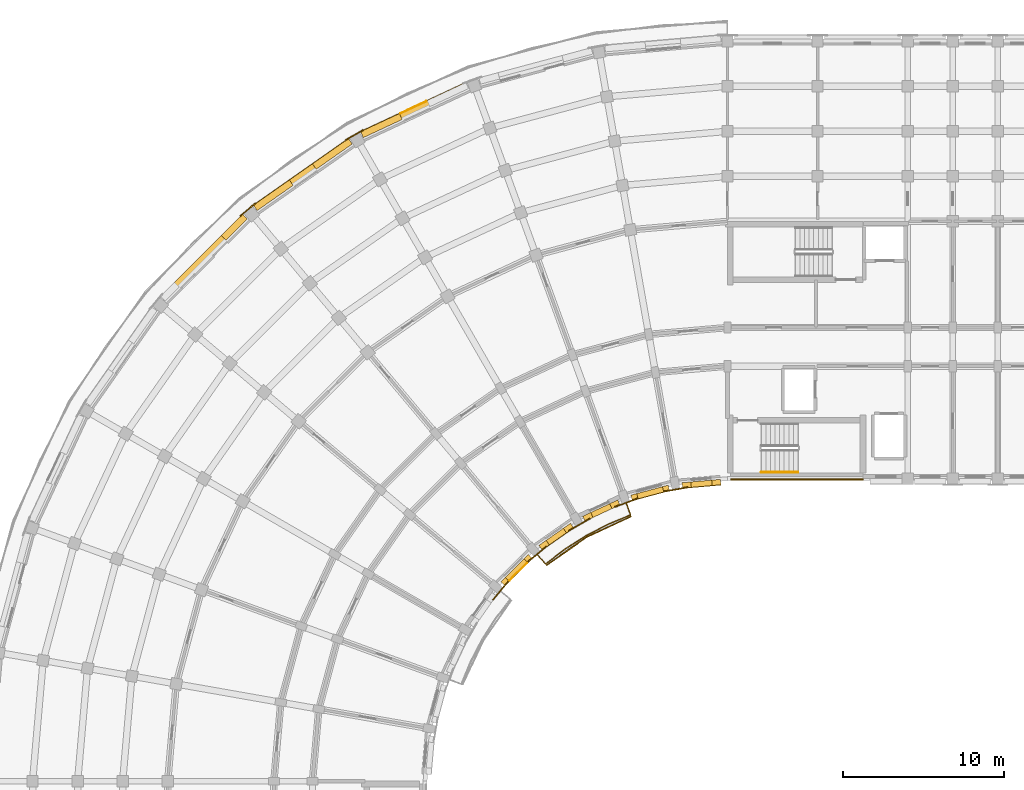
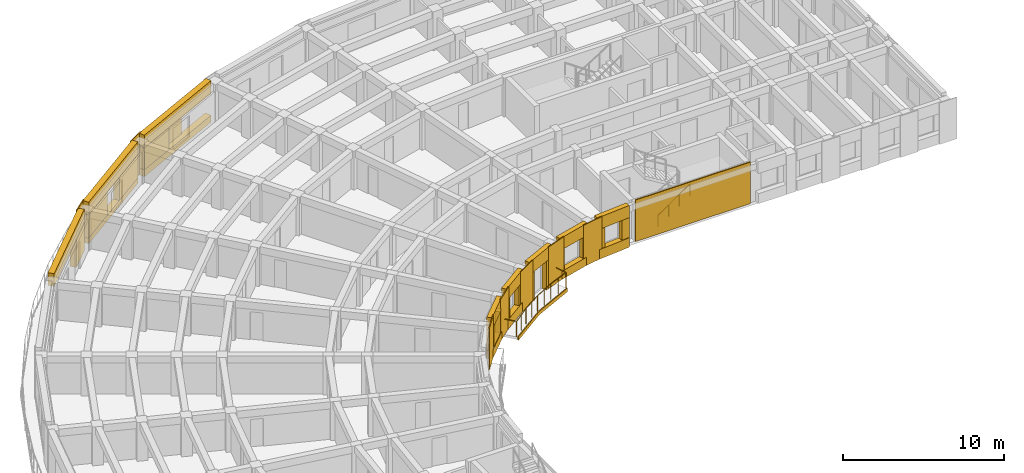
# One storey, part 48 of 57: 37 coverings, 2 railings, 2 shading devices.
"""IFC4 building model written with IfcOpenShell, lengths in metres."""

import ifcopenshell
import ifcopenshell.guid

model = None  # the IFC model being written
_history = None  # IfcOwnerHistory: only IFC2X3 demands one
_inside = {}  # id of a spatial element -> (the spatial element, [elements in it])
_under = {}  # id of a project, library or spatial element -> (it, [spatial elements below it])
_declared = {}  # id of a project -> (the project, [libraries it declares])
_typed = {}  # id of a type object -> (the type object, [elements of that type])
_made_of = {}  # id of a material, layer set ... -> (it, [elements and type objects made of it])


def new_model(schema):
    """Start an empty IFC model of exactly this schema.

    Asked for "IFC4X3", IfcOpenShell would pick the latest addendum, in which some entities
    have other attributes; the version numbers below select the first issue.
    IFC2X3 requires an IfcOwnerHistory on every rooted entity: one is made here for all.
    """
    global model, _history
    if schema == "IFC4X3":
        model = ifcopenshell.file(schema_version=(4, 3, 0, 0))
    else:
        model = ifcopenshell.file(schema=schema)
    _inside.clear()
    _under.clear()
    _declared.clear()
    _typed.clear()
    _made_of.clear()
    _history = None
    if model.schema == "IFC2X3":
        org = make("IfcOrganization", Name="unknown")
        user = make(
            "IfcPersonAndOrganization",
            ThePerson=make("IfcPerson", FamilyName="unknown"),
            TheOrganization=org,
        )
        app = make(
            "IfcApplication",
            ApplicationDeveloper=org,
            Version="unknown",
            ApplicationFullName="unknown",
            ApplicationIdentifier="unknown",
        )
        _history = make(
            "IfcOwnerHistory",
            OwningUser=user,
            OwningApplication=app,
            ChangeAction="ADDED",
            CreationDate=0,
        )
    return model


def make(cls, **values):
    """One entity of the class cls with the attributes given. An attribute that is None is left unset."""
    return model.create_entity(
        cls, **{name: value for name, value in values.items() if value is not None}
    )


def rooted(cls, **values):
    """An entity with a GlobalId (a new one), such as an element, a storey or a relation."""
    return make(cls, GlobalId=ifcopenshell.guid.new(), OwnerHistory=_history, **values)


def si_unit(unit_type, name, prefix=None):
    """IfcSIUnit, for example si_unit("LENGTHUNIT", "METRE", prefix="MILLI")."""
    return make("IfcSIUnit", UnitType=unit_type, Prefix=prefix, Name=name)


def assignment(units):
    """IfcUnitAssignment: the units of a project."""
    return None if units is None else make("IfcUnitAssignment", Units=units)


def point(xyz):
    """IfcCartesianPoint."""
    return None if xyz is None else make("IfcCartesianPoint", Coordinates=xyz)


def direction(xyz):
    """IfcDirection."""
    return None if xyz is None else make("IfcDirection", DirectionRatios=xyz)


def frame(location, z_axis=None, x_axis=None):
    """IfcAxis2Placement3D, a coordinate frame: its origin and axes. An axis left out is left unset."""
    return make(
        "IfcAxis2Placement3D",
        Location=point(location),
        Axis=direction(z_axis),
        RefDirection=direction(x_axis),
    )


def frame_2d(location, x_axis=None):
    """IfcAxis2Placement2D, a coordinate frame in the plane: its origin and x axis."""
    return make(
        "IfcAxis2Placement2D", Location=point(location), RefDirection=direction(x_axis)
    )


def origin():
    """The frame at (0, 0, 0) with its axes left unset."""
    return frame((0.0, 0.0, 0.0))


def origin_2d():
    """The frame at (0, 0) in the plane with its x axis left unset."""
    return frame_2d((0.0, 0.0))


def place(relative_to, where):
    """IfcLocalPlacement: puts the frame where relative to a parent placement (None: the world)."""
    return make(
        "IfcLocalPlacement", PlacementRelTo=relative_to, RelativePlacement=where
    )


def context(
    kind, dimensions, precision=None, world=None, true_north=None, identifier=None
):
    """IfcGeometricRepresentationContext, for example the 3D "Model" context."""
    return make(
        "IfcGeometricRepresentationContext",
        ContextIdentifier=identifier,
        ContextType=kind,
        CoordinateSpaceDimension=dimensions,
        Precision=precision,
        WorldCoordinateSystem=world,
        TrueNorth=true_north,
    )


def subcontext(parent, identifier, kind, view, scale=None):
    """IfcGeometricRepresentationSubContext, for example "Body" below "Model"."""
    return make(
        "IfcGeometricRepresentationSubContext",
        ContextIdentifier=identifier,
        ContextType=kind,
        ParentContext=parent,
        TargetScale=scale,
        TargetView=view,
    )


def project(units=None, contexts=None):
    """IfcProject with its units and contexts."""
    return rooted(
        "IfcProject",
        Name="project",
        RepresentationContexts=contexts,
        UnitsInContext=assignment(units),
    )


def spatial(cls, under=None, at=None, **own):
    """A site, building, storey or space (cls), placed at a placement, below another one or the project."""
    s = rooted(cls, ObjectPlacement=at, **own)
    if under is not None:
        _under.setdefault(under.id(), (under, []))[1].append(s)
    return s


def polyline(points):
    """IfcPolyline through the points."""
    return make("IfcPolyline", Points=[point(p) for p in points])


def profile(cls, at=None, kind="AREA", **sizes):
    """A parametric profile (cls). Its sizes go by their IFC names, for example OverallWidth=200.0."""
    return make(cls, ProfileType=kind, Position=at, **sizes)


def rectangle(**sizes):
    """IfcRectangleProfileDef."""
    return profile("IfcRectangleProfileDef", **sizes)


def circle(**sizes):
    """IfcCircleProfileDef."""
    return profile("IfcCircleProfileDef", **sizes)


def outline(outer, holes=None, kind="AREA"):
    """IfcArbitraryClosedProfileDef: a profile drawn as a closed curve; with holes, ...WithVoids."""
    if holes is None:
        return make("IfcArbitraryClosedProfileDef", ProfileType=kind, OuterCurve=outer)
    return make(
        "IfcArbitraryProfileDefWithVoids",
        ProfileType=kind,
        OuterCurve=outer,
        InnerCurves=holes,
    )


def extrude(swept, where, along, depth):
    """IfcExtrudedAreaSolid: the profile swept, set in the frame where, extruded along a direction by depth."""
    return make(
        "IfcExtrudedAreaSolid",
        SweptArea=swept,
        Position=where,
        ExtrudedDirection=direction(along),
        Depth=depth,
    )


def shape(context_of_items, identifier, shape_type, items):
    """IfcShapeRepresentation: the items that make up one representation, for example the "Body"."""
    return make(
        "IfcShapeRepresentation",
        ContextOfItems=context_of_items,
        RepresentationIdentifier=identifier,
        RepresentationType=shape_type,
        Items=items,
    )


def material(Name=None, Category=None):
    """IfcMaterial."""
    return make("IfcMaterial", Name=Name, Category=Category)


def layer(
    of_material, thickness, ventilated=None, Name=None, Category=None, Priority=None
):
    """IfcMaterialLayer: one layer of a wall or slab, of a material (None: an air gap)."""
    return make(
        "IfcMaterialLayer",
        Material=of_material,
        LayerThickness=thickness,
        IsVentilated=ventilated,
        Name=Name,
        Category=Category,
        Priority=Priority,
    )


def layer_set(layers, Name=None):
    """IfcMaterialLayerSet."""
    return make("IfcMaterialLayerSet", MaterialLayers=layers, LayerSetName=Name)


def made_of(thing, what):
    """Note that an element or type object is made of a material, layer set ...; save() writes the relation."""
    if what is not None:
        _made_of.setdefault(what.id(), (what, []))[1].append(thing)
    return thing


def type_object(cls, material=None, **own):
    """A type object (cls), such as IfcWallType, which elements share."""
    return made_of(rooted(cls, **own), material)


def element(
    cls,
    number,
    at=None,
    inside=None,
    cuts=None,
    type_object=None,
    material=None,
    context=None,
    identifier="Body",
    shape_type=None,
    held_by="IfcProductDefinitionShape",
    body=None,
    shapes=None,
    **own,
):
    """One element of the class cls, such as IfcWall. Its Tag is "e" and its number.

    at: its placement. inside: the storey or other place that contains it. cuts: it is an
    opening in that element (IfcRelVoidsElement). A single representation is given by context,
    identifier, shape_type and body (its items); several are given by shapes. held_by: the class
    of the entity that holds the representations. save() writes the other relations.
    """
    e = rooted(cls, Tag="e%d" % number, ObjectPlacement=at, **own)
    if body is not None:
        shapes = [shape(context, identifier, shape_type, body)]
    if shapes is not None:
        e.Representation = make(held_by, Representations=shapes)
    if inside is not None:
        _inside.setdefault(inside.id(), (inside, []))[1].append(e)
    if cuts is not None:
        rooted(
            "IfcRelVoidsElement", RelatingBuildingElement=cuts, RelatedOpeningElement=e
        )
    if type_object is not None:
        _typed.setdefault(type_object.id(), (type_object, []))[1].append(e)
    return made_of(e, material)


def aggregate(whole, parts):
    """IfcRelAggregates: a whole, such as a stair, and the parts it consists of."""
    return rooted("IfcRelAggregates", RelatingObject=whole, RelatedObjects=parts)


def save(model, path):
    """Write the relations noted so far, then the file.

    IfcRelAggregates (storeys below a building ...), IfcRelContainedInSpatialStructure (elements
    in a storey), IfcRelDefinesByType, IfcRelAssociatesMaterial and IfcRelDeclares: one each for
    every whole, place, type object, material and project.
    """
    for whole, parts in _under.values():
        aggregate(whole, parts)
    for where, things in _inside.values():
        rooted(
            "IfcRelContainedInSpatialStructure",
            RelatedElements=things,
            RelatingStructure=where,
        )
    for kind, things in _typed.values():
        rooted("IfcRelDefinesByType", RelatedObjects=things, RelatingType=kind)
    for what, things in _made_of.values():
        rooted("IfcRelAssociatesMaterial", RelatedObjects=things, RelatingMaterial=what)
    for by, libraries in _declared.values():
        rooted("IfcRelDeclares", RelatingContext=by, RelatedDefinitions=libraries)
    model.write(path)


model = new_model("IFC4")

# Units and contexts
model_context = context("Model", 3, precision=1e-05, world=origin(), true_north=direction((0.0, 1.0)))
body_context = subcontext(model_context, "Body", "Model", "MODEL_VIEW")
ifc_project = project(units=[si_unit("LENGTHUNIT", "METRE"), si_unit("AREAUNIT", "SQUARE_METRE"), si_unit("VOLUMEUNIT", "CUBIC_METRE"), si_unit("PLANEANGLEUNIT", "RADIAN"), si_unit("MASSUNIT", "GRAM", prefix="KILO")], contexts=[model_context])

# Site, building, storey
site_placement = place(None, origin())
site = spatial("IfcSite", under=ifc_project, at=site_placement, CompositionType="ELEMENT")
building_placement = place(site_placement, origin())
building = spatial("IfcBuilding", under=site, at=building_placement, Name="Kiranvali Square Residences", CompositionType="ELEMENT")
storey_placement = place(building_placement, frame((0.0, 0.0, 18.14990234375)))
storey = spatial("IfcBuildingStorey", under=building, at=storey_placement, Name="L05", CompositionType="ELEMENT", Elevation=18.14990234375)

# Coverings
ifc_material_1 = material(Name="Carved Porbandar limestone classical entablature and cornice", Category="masonry")
ifc_layer_1 = layer(ifc_material_1, 0.06201171875)
ifc_layer_set_1 = layer_set([ifc_layer_1], Name="Carved Porbandar limestone classical entablature and cornice")
covering_type_1 = type_object("IfcCoveringType", Name="COV-CLAD-GBAL", PredefinedType="CLADDING", material=ifc_layer_set_1)
covering_1_placement = place(storey_placement, frame((0.0, 0.0, -0.219970703125)))
element("IfcCovering", 1, at=covering_1_placement, inside=storey, type_object=covering_type_1, Name="Block A L05 garden balcony limestone fascia 1", PredefinedType="CLADDING", context=body_context, shape_type="SweptSolid", body=[
    extrude(outline(polyline([(42.1982421875, 104.289794921875), (39.426025390625, 102.9970703125), (36.92041015625, 101.242431640625), (36.964111328125, 101.1904296875), (39.4599609375, 102.938232421875), (42.221435546875, 104.225830078125), (42.1982421875, 104.289794921875)])), origin(), (0.0, 0.0, 1.0), 0.27001953125),
])
ifc_material_2 = material(Name="Honed Porbandar limestone ashlar facade cladding", Category="masonry")
ifc_layer_2 = layer(ifc_material_2, 0.3798828125)
ifc_layer_set_2 = layer_set([ifc_layer_2], Name="Honed Porbandar limestone ashlar facade cladding")
covering_type_2 = type_object("IfcCoveringType", Name="COV-CLAD-JAMB", PredefinedType="CLADDING", material=ifc_layer_set_2)
covering_2_placement = place(storey_placement, frame((0.0, 0.0, 0.522216796875)))
element("IfcCovering", 2, at=covering_2_placement, inside=storey, type_object=covering_type_2, Name="L05 deep limestone window jamb reveal A-L05-CRV-02.R", PredefinedType="CLADDING", context=body_context, shape_type="SweptSolid", body=[
    extrude(outline(polyline([(27.79931640625, 129.301513671875), (25.38916015625, 128.177734375), (25.562255859375, 127.806640625), (27.972412109375, 128.930419921875), (27.79931640625, 129.301513671875)])), origin(), (0.0, 0.0, 1.0), 1.64990234375),
])
covering_3_placement = place(storey_placement, frame((0.0, 0.0, 0.422119140625)))
element("IfcCovering", 3, at=covering_3_placement, inside=storey, type_object=covering_type_2, Name="L05 deep limestone window jamb reveal A-L05-CRV-03.L", PredefinedType="CLADDING", context=body_context, shape_type="SweptSolid", body=[
    extrude(outline(polyline([(24.63720703125, 127.74365234375), (22.3974609375, 126.17529296875), (22.63232421875, 125.83984375), (24.8720703125, 127.408203125), (24.63720703125, 127.74365234375)])), origin(), (0.0, 0.0, 1.0), 1.75),
])
covering_4_placement = place(storey_placement, frame((0.0, 0.0, 0.422119140625)))
element("IfcCovering", 4, at=covering_4_placement, inside=storey, type_object=covering_type_2, Name="L05 deep limestone window jamb reveal A-L05-CRV-03.R", PredefinedType="CLADDING", context=body_context, shape_type="SweptSolid", body=[
    extrude(outline(polyline([(20.9638671875, 125.171630859375), (18.724365234375, 123.603271484375), (18.959228515625, 123.267822265625), (21.19873046875, 124.836181640625), (20.9638671875, 125.171630859375)])), origin(), (0.0, 0.0, 1.0), 1.75),
])
covering_5_placement = place(storey_placement, origin())
element("IfcCovering", 5, at=covering_5_placement, inside=storey, type_object=covering_type_2, Name="L05 deep limestone window jamb reveal A-L05-CRV-04.L", PredefinedType="CLADDING", context=body_context, shape_type="SweptSolid", body=[
    extrude(outline(polyline([(18.05908203125, 123.045166015625), (16.732177734375, 121.71826171875), (17.021728515625, 121.4287109375), (18.3486328125, 122.755615234375), (18.05908203125, 123.045166015625)])), origin(), (0.0, 0.0, 1.0), 2.18017578125),
])
covering_6_placement = place(storey_placement, frame((0.0, 0.0, 0.72216796875)))
element("IfcCovering", 6, at=covering_6_placement, inside=storey, type_object=covering_type_2, Name="L05 deep limestone window jamb reveal A-L05-GDN-00.L", PredefinedType="CLADDING", context=body_context, shape_type="SweptSolid", body=[
    extrude(outline(polyline([(47.76171875, 106.56103515625), (47.21533203125, 106.513427734375), (47.244873046875, 106.175048828125), (47.791259765625, 106.222900390625), (47.76171875, 106.56103515625)])), origin(), (0.0, 0.0, 1.0), 1.5),
])
covering_7_placement = place(storey_placement, frame((0.0, 0.0, 0.72216796875)))
element("IfcCovering", 7, at=covering_7_placement, inside=storey, type_object=covering_type_2, Name="L05 deep limestone window jamb reveal A-L05-GDN-00.R", PredefinedType="CLADDING", context=body_context, shape_type="SweptSolid", body=[
    extrude(outline(polyline([(45.920166015625, 106.400146484375), (45.373779296875, 106.352294921875), (45.4033203125, 106.013916015625), (45.94970703125, 106.061767578125), (45.920166015625, 106.400146484375)])), origin(), (0.0, 0.0, 1.0), 1.5),
])
covering_8_placement = place(storey_placement, frame((0.0, 0.0, 0.6220703125)))
element("IfcCovering", 8, at=covering_8_placement, inside=storey, type_object=covering_type_2, Name="L05 deep limestone window jamb reveal A-L05-GDN-01.L", PredefinedType="CLADDING", context=body_context, shape_type="SweptSolid", body=[
    extrude(outline(polyline([(44.510498046875, 106.199951171875), (44.149658203125, 106.103271484375), (44.237548828125, 105.775390625), (44.598388671875, 105.8720703125), (44.510498046875, 106.199951171875)])), origin(), (0.0, 0.0, 1.0), 1.60009765625),
])
covering_9_placement = place(storey_placement, frame((0.0, 0.0, 0.6220703125)))
element("IfcCovering", 9, at=covering_9_placement, inside=storey, type_object=covering_type_2, Name="L05 deep limestone window jamb reveal A-L05-GDN-01.R", PredefinedType="CLADDING", context=body_context, shape_type="SweptSolid", body=[
    extrude(outline(polyline([(42.555908203125, 105.67626953125), (42.195068359375, 105.57958984375), (42.282958984375, 105.251708984375), (42.643798828125, 105.348388671875), (42.555908203125, 105.67626953125)])), origin(), (0.0, 0.0, 1.0), 1.60009765625),
])
covering_10_placement = place(storey_placement, origin())
element("IfcCovering", 10, at=covering_10_placement, inside=storey, type_object=covering_type_2, Name="L05 deep limestone window jamb reveal A-L05-GDN-02.L", PredefinedType="CLADDING", context=body_context, shape_type="SweptSolid", body=[
    extrude(outline(polyline([(41.37158203125, 105.27978515625), (40.874267578125, 105.048095703125), (41.017822265625, 104.740234375), (41.514892578125, 104.97216796875), (41.37158203125, 105.27978515625)])), origin(), (0.0, 0.0, 1.0), 2.18017578125),
])
covering_11_placement = place(storey_placement, origin())
element("IfcCovering", 11, at=covering_11_placement, inside=storey, type_object=covering_type_2, Name="L05 deep limestone window jamb reveal A-L05-GDN-02.R", PredefinedType="CLADDING", context=body_context, shape_type="SweptSolid", body=[
    extrude(outline(polyline([(39.696044921875, 104.49853515625), (39.198974609375, 104.266845703125), (39.342529296875, 103.958984375), (39.839599609375, 104.19091796875), (39.696044921875, 104.49853515625)])), origin(), (0.0, 0.0, 1.0), 2.18017578125),
])
covering_12_placement = place(storey_placement, frame((0.0, 0.0, 0.72216796875)))
element("IfcCovering", 12, at=covering_12_placement, inside=storey, type_object=covering_type_2, Name="L05 deep limestone window jamb reveal A-L05-GDN-03.L", PredefinedType="CLADDING", context=body_context, shape_type="SweptSolid", body=[
    extrude(outline(polyline([(38.43994140625, 103.828369140625), (37.990478515625, 103.513916015625), (38.185302734375, 103.23583984375), (38.634521484375, 103.55029296875), (38.43994140625, 103.828369140625)])), origin(), (0.0, 0.0, 1.0), 1.5),
])
covering_13_placement = place(storey_placement, frame((0.0, 0.0, 0.72216796875)))
element("IfcCovering", 13, at=covering_13_placement, inside=storey, type_object=covering_type_2, Name="L05 deep limestone window jamb reveal A-L05-GDN-03.R", PredefinedType="CLADDING", context=body_context, shape_type="SweptSolid", body=[
    extrude(outline(polyline([(36.925537109375, 102.768310546875), (36.476318359375, 102.45361328125), (36.671142578125, 102.175537109375), (37.120361328125, 102.490234375), (36.925537109375, 102.768310546875)])), origin(), (0.0, 0.0, 1.0), 1.5),
])
covering_14_placement = place(storey_placement, frame((0.0, 0.0, 0.6220703125)))
element("IfcCovering", 14, at=covering_14_placement, inside=storey, type_object=covering_type_2, Name="L05 deep limestone window jamb reveal A-L05-GDN-04.L", PredefinedType="CLADDING", context=body_context, shape_type="SweptSolid", body=[
    extrude(outline(polyline([(35.804931640625, 101.89013671875), (35.540771484375, 101.6259765625), (35.78076171875, 101.385986328125), (36.044921875, 101.650146484375), (35.804931640625, 101.89013671875)])), origin(), (0.0, 0.0, 1.0), 1.60009765625),
])
covering_15_placement = place(storey_placement, frame((0.0, 0.0, 0.6220703125)))
element("IfcCovering", 15, at=covering_15_placement, inside=storey, type_object=covering_type_2, Name="L05 deep limestone window jamb reveal A-L05-GDN-04.R", PredefinedType="CLADDING", context=body_context, shape_type="SweptSolid", body=[
    extrude(outline(polyline([(34.3740234375, 100.459228515625), (34.10986328125, 100.195068359375), (34.349853515625, 99.955078125), (34.614013671875, 100.21923828125), (34.3740234375, 100.459228515625)])), origin(), (0.0, 0.0, 1.0), 1.60009765625),
])
ifc_layer_3 = layer(ifc_material_2, 0.06494140625)
ifc_layer_set_3 = layer_set([ifc_layer_3], Name="Honed Porbandar limestone ashlar facade cladding")
covering_type_3 = type_object("IfcCoveringType", Name="COV-CLAD-PIER", PredefinedType="CLADDING", material=ifc_layer_set_3)
covering_16_placement = place(storey_placement, frame((0.0, 0.0, 0.005126953125)))
element("IfcCovering", 16, at=covering_16_placement, inside=storey, type_object=covering_type_3, Name="L05 Classical limestone corner pilaster CLAD-PR-A-L05-A03", PredefinedType="CLADDING", context=body_context, shape_type="SweptSolid", body=[
    extrude(outline(polyline([(25.53662109375, 128.314208984375), (24.4453125, 127.68408203125), (24.479248046875, 127.625732421875), (25.5703125, 128.255615234375), (25.53662109375, 128.314208984375)])), origin(), (0.0, 0.0, 1.0), 3.139892578125),
])
covering_17_placement = place(storey_placement, frame((0.0, 0.0, 0.005126953125)))
element("IfcCovering", 17, at=covering_17_placement, inside=storey, type_object=covering_type_3, Name="L05 Classical limestone corner pilaster CLAD-PR-A-L05-A04", PredefinedType="CLADDING", context=body_context, shape_type="SweptSolid", body=[
    extrude(outline(polyline([(18.845703125, 123.76318359375), (17.88037109375, 122.953369140625), (17.923828125, 122.901611328125), (18.88916015625, 123.71142578125), (18.845703125, 123.76318359375)])), origin(), (0.0, 0.0, 1.0), 3.139892578125),
])
covering_18_placement = place(storey_placement, frame((0.0, 0.0, 0.005126953125)))
element("IfcCovering", 18, at=covering_18_placement, inside=storey, type_object=covering_type_3, Name="Block A L05 garden stair limestone ashlar cladding", PredefinedType="CLADDING", context=body_context, shape_type="SweptSolid", body=[
    extrude(outline(polyline([(48.39990234375, 106.52001953125), (56.64990234375, 106.52001953125), (56.64990234375, 106.597900390625), (48.39990234375, 106.597900390625), (48.39990234375, 106.52001953125)])), origin(), (0.0, 0.0, 1.0), 3.139892578125),
])
ifc_layer_4 = layer(ifc_material_2, 0.050048828125)
ifc_layer_set_4 = layer_set([ifc_layer_4], Name="Honed Porbandar limestone ashlar facade cladding")
covering_type_4 = type_object("IfcCoveringType", Name="COV-CLAD-PIER-IN", PredefinedType="CLADDING", material=ifc_layer_set_4)
covering_19_placement = place(storey_placement, frame((0.0, 0.0, 0.005126953125)))
element("IfcCovering", 19, at=covering_19_placement, inside=storey, type_object=covering_type_4, Name="L05 Classical garden courtyard pilaster CLAD-PRIN-A-L05-A01", PredefinedType="CLADDING", context=body_context, shape_type="SweptSolid", body=[
    extrude(outline(polyline([(44.269287109375, 105.7724609375), (45.74658203125, 106.032958984375), (45.73486328125, 106.099365234375), (44.257568359375, 105.8388671875), (44.269287109375, 105.7724609375)])), origin(), (0.0, 0.0, 1.0), 3.139892578125),
])
covering_20_placement = place(storey_placement, frame((0.0, 0.0, 0.005126953125)))
element("IfcCovering", 20, at=covering_20_placement, inside=storey, type_object=covering_type_4, Name="L05 Classical garden courtyard pilaster CLAD-PRIN-A-L05-A02", PredefinedType="CLADDING", context=body_context, shape_type="SweptSolid", body=[
    extrude(outline(polyline([(41.208251953125, 104.81689453125), (42.61767578125, 105.329833984375), (42.5947265625, 105.393310546875), (41.18505859375, 104.88037109375), (41.208251953125, 104.81689453125)])), origin(), (0.0, 0.0, 1.0), 3.139892578125),
])
covering_21_placement = place(storey_placement, frame((0.0, 0.0, 0.005126953125)))
element("IfcCovering", 21, at=covering_21_placement, inside=storey, type_object=covering_type_4, Name="L05 Classical garden courtyard pilaster CLAD-PRIN-A-L05-A03", PredefinedType="CLADDING", context=body_context, shape_type="SweptSolid", body=[
    extrude(outline(polyline([(38.359375, 103.34423828125), (39.658447265625, 104.09423828125), (39.624755859375, 104.15283203125), (38.32568359375, 103.40283203125), (38.359375, 103.34423828125)])), origin(), (0.0, 0.0, 1.0), 3.139892578125),
])
covering_22_placement = place(storey_placement, frame((0.0, 0.0, 0.005126953125)))
element("IfcCovering", 22, at=covering_22_placement, inside=storey, type_object=covering_type_4, Name="L05 Classical garden courtyard pilaster CLAD-PRIN-A-L05-A04", PredefinedType="CLADDING", context=body_context, shape_type="SweptSolid", body=[
    extrude(outline(polyline([(35.809814453125, 101.3994140625), (36.958740234375, 102.363525390625), (36.91552734375, 102.415283203125), (35.766357421875, 101.451171875), (35.809814453125, 101.3994140625)])), origin(), (0.0, 0.0, 1.0), 3.139892578125),
])
covering_23_placement = place(storey_placement, frame((0.0, 0.0, 0.005126953125)))
element("IfcCovering", 23, at=covering_23_placement, inside=storey, type_object=covering_type_4, Name="L05 Classical garden courtyard pilaster CLAD-PRIN-A-L05-A05", PredefinedType="CLADDING", context=body_context, shape_type="SweptSolid", body=[
    extrude(outline(polyline([(33.636474609375, 99.041259765625), (34.6005859375, 100.190185546875), (34.548828125, 100.233642578125), (33.584716796875, 99.08447265625), (33.636474609375, 99.041259765625)])), origin(), (0.0, 0.0, 1.0), 3.139892578125),
])
ifc_layer_5 = layer(ifc_material_2, 0.360107421875)
ifc_layer_set_5 = layer_set([ifc_layer_5], Name="Honed Porbandar limestone ashlar facade cladding")
covering_type_5 = type_object("IfcCoveringType", Name="COV-CLAD-WALL", PredefinedType="CLADDING", material=ifc_layer_set_5)
covering_24_placement = place(storey_placement, frame((0.0, 0.0, 2.172119140625)))
element("IfcCovering", 24, at=covering_24_placement, inside=storey, type_object=covering_type_5, Name="L05 light limestone spandrel lintel A-L05-CRV-02", PredefinedType="CLADDING", context=body_context, shape_type="SweptSolid", body=[
    extrude(outline(polyline([(31.931396484375, 131.228515625), (25.38916015625, 128.177734375), (25.562255859375, 127.806640625), (32.104248046875, 130.857177734375), (31.931396484375, 131.228515625)])), origin(), (0.0, 0.0, 1.0), 0.972900390625),
])
covering_25_placement = place(storey_placement, frame((0.0, 0.0, 0.005126953125)))
element("IfcCovering", 25, at=covering_25_placement, inside=storey, type_object=covering_type_5, Name="L05 limestone window sill apron A-L05-CRV-02", PredefinedType="CLADDING", context=body_context, shape_type="SweptSolid", body=[
    extrude(outline(polyline([(31.918701171875, 131.255615234375), (25.37646484375, 128.205078125), (25.562255859375, 127.806640625), (32.104248046875, 130.857177734375), (31.918701171875, 131.255615234375)])), origin(), (0.0, 0.0, 1.0), 0.51708984375),
])
covering_26_placement = place(storey_placement, frame((0.0, 0.0, 2.172119140625)))
element("IfcCovering", 26, at=covering_26_placement, inside=storey, type_object=covering_type_5, Name="L05 light limestone spandrel lintel A-L05-CRV-03", PredefinedType="CLADDING", context=body_context, shape_type="SweptSolid", body=[
    extrude(outline(polyline([(24.63720703125, 127.74365234375), (18.724365234375, 123.603271484375), (18.959228515625, 123.267822265625), (24.8720703125, 127.408203125), (24.63720703125, 127.74365234375)])), origin(), (0.0, 0.0, 1.0), 0.972900390625),
])
covering_27_placement = place(storey_placement, frame((0.0, 0.0, 0.005126953125)))
element("IfcCovering", 27, at=covering_27_placement, inside=storey, type_object=covering_type_5, Name="L05 limestone window sill apron A-L05-CRV-03", PredefinedType="CLADDING", context=body_context, shape_type="SweptSolid", body=[
    extrude(outline(polyline([(24.619873046875, 127.76806640625), (18.70703125, 123.6279296875), (18.959228515625, 123.267822265625), (24.8720703125, 127.408203125), (24.619873046875, 127.76806640625)])), origin(), (0.0, 0.0, 1.0), 0.4169921875),
])
covering_28_placement = place(storey_placement, frame((0.0, 0.0, 2.18017578125)))
element("IfcCovering", 28, at=covering_28_placement, inside=storey, type_object=covering_type_5, Name="L05 light limestone spandrel lintel A-L05-CRV-04", PredefinedType="CLADDING", context=body_context, shape_type="SweptSolid", body=[
    extrude(outline(polyline([(18.05908203125, 123.045166015625), (12.954833984375, 117.94091796875), (13.244384765625, 117.6513671875), (18.3486328125, 122.755615234375), (18.05908203125, 123.045166015625)])), origin(), (0.0, 0.0, 1.0), 0.96484375),
])
covering_29_placement = place(storey_placement, frame((0.0, 0.0, 2.22216796875)))
element("IfcCovering", 29, at=covering_29_placement, inside=storey, type_object=covering_type_5, Name="L05 light limestone spandrel lintel A-L05-GDN-00", PredefinedType="CLADDING", context=body_context, shape_type="SweptSolid", body=[
    extrude(outline(polyline([(47.76171875, 106.56103515625), (45.373779296875, 106.352294921875), (45.4033203125, 106.013916015625), (47.791259765625, 106.222900390625), (47.76171875, 106.56103515625)])), origin(), (0.0, 0.0, 1.0), 0.9228515625),
])
covering_30_placement = place(storey_placement, frame((0.0, 0.0, 2.22216796875)))
element("IfcCovering", 30, at=covering_30_placement, inside=storey, type_object=covering_type_5, Name="L05 light limestone spandrel lintel A-L05-GDN-01", PredefinedType="CLADDING", context=body_context, shape_type="SweptSolid", body=[
    extrude(outline(polyline([(44.510498046875, 106.199951171875), (42.195068359375, 105.57958984375), (42.282958984375, 105.251708984375), (44.598388671875, 105.8720703125), (44.510498046875, 106.199951171875)])), origin(), (0.0, 0.0, 1.0), 0.9228515625),
])
covering_31_placement = place(storey_placement, frame((0.0, 0.0, 2.18017578125)))
element("IfcCovering", 31, at=covering_31_placement, inside=storey, type_object=covering_type_5, Name="L05 light limestone spandrel lintel A-L05-GDN-02", PredefinedType="CLADDING", context=body_context, shape_type="SweptSolid", body=[
    extrude(outline(polyline([(41.37158203125, 105.27978515625), (39.198974609375, 104.266845703125), (39.342529296875, 103.958984375), (41.514892578125, 104.97216796875), (41.37158203125, 105.27978515625)])), origin(), (0.0, 0.0, 1.0), 0.96484375),
])
covering_32_placement = place(storey_placement, frame((0.0, 0.0, 2.22216796875)))
element("IfcCovering", 32, at=covering_32_placement, inside=storey, type_object=covering_type_5, Name="L05 light limestone spandrel lintel A-L05-GDN-03", PredefinedType="CLADDING", context=body_context, shape_type="SweptSolid", body=[
    extrude(outline(polyline([(38.43994140625, 103.828369140625), (36.476318359375, 102.45361328125), (36.671142578125, 102.175537109375), (38.634521484375, 103.55029296875), (38.43994140625, 103.828369140625)])), origin(), (0.0, 0.0, 1.0), 0.9228515625),
])
covering_33_placement = place(storey_placement, frame((0.0, 0.0, 2.22216796875)))
element("IfcCovering", 33, at=covering_33_placement, inside=storey, type_object=covering_type_5, Name="L05 light limestone spandrel lintel A-L05-GDN-04", PredefinedType="CLADDING", context=body_context, shape_type="SweptSolid", body=[
    extrude(outline(polyline([(35.804931640625, 101.89013671875), (34.10986328125, 100.195068359375), (34.349853515625, 99.955078125), (36.044921875, 101.650146484375), (35.804931640625, 101.89013671875)])), origin(), (0.0, 0.0, 1.0), 0.9228515625),
])
ifc_layer_6 = layer(ifc_material_2, 0.2900390625)
ifc_layer_set_6 = layer_set([ifc_layer_6], Name="Honed Porbandar limestone ashlar facade cladding")
covering_type_6 = type_object("IfcCoveringType", Name="COV-CLAD-WALL-IN", PredefinedType="CLADDING", material=ifc_layer_set_6)
covering_34_placement = place(storey_placement, frame((0.0, 0.0, 0.005126953125)))
element("IfcCovering", 34, at=covering_34_placement, inside=storey, type_object=covering_type_6, Name="L05 limestone window sill apron A-L05-GDN-00", PredefinedType="CLADDING", context=body_context, shape_type="SweptSolid", body=[
    extrude(outline(polyline([(47.76171875, 106.56103515625), (45.373779296875, 106.352294921875), (45.406005859375, 105.984130859375), (47.7939453125, 106.193115234375), (47.76171875, 106.56103515625)])), origin(), (0.0, 0.0, 1.0), 0.717041015625),
])
covering_35_placement = place(storey_placement, frame((0.0, 0.0, 0.005126953125)))
element("IfcCovering", 35, at=covering_35_placement, inside=storey, type_object=covering_type_6, Name="L05 limestone window sill apron A-L05-GDN-01", PredefinedType="CLADDING", context=body_context, shape_type="SweptSolid", body=[
    extrude(outline(polyline([(44.510498046875, 106.199951171875), (42.195068359375, 105.57958984375), (42.290771484375, 105.22265625), (44.606201171875, 105.843017578125), (44.510498046875, 106.199951171875)])), origin(), (0.0, 0.0, 1.0), 0.616943359375),
])
covering_36_placement = place(storey_placement, frame((0.0, 0.0, 0.005126953125)))
element("IfcCovering", 36, at=covering_36_placement, inside=storey, type_object=covering_type_6, Name="L05 limestone window sill apron A-L05-GDN-03", PredefinedType="CLADDING", context=body_context, shape_type="SweptSolid", body=[
    extrude(outline(polyline([(38.43994140625, 103.828369140625), (36.476318359375, 102.45361328125), (36.688232421875, 102.15087890625), (38.65185546875, 103.52587890625), (38.43994140625, 103.828369140625)])), origin(), (0.0, 0.0, 1.0), 0.717041015625),
])
covering_37_placement = place(storey_placement, frame((0.0, 0.0, 0.005126953125)))
element("IfcCovering", 37, at=covering_37_placement, inside=storey, type_object=covering_type_6, Name="L05 limestone window sill apron A-L05-GDN-04", PredefinedType="CLADDING", context=body_context, shape_type="SweptSolid", body=[
    extrude(outline(polyline([(35.804931640625, 101.89013671875), (34.10986328125, 100.195068359375), (34.37109375, 99.933837890625), (36.066162109375, 101.62890625), (35.804931640625, 101.89013671875)])), origin(), (0.0, 0.0, 1.0), 0.616943359375),
])

# Railings
ifc_material_3 = material(Name="Powder-coated architectural bronze balustrade", Category="steel")
railing_type_1 = type_object("IfcRailingType", Name="RL-BAL-GOLD-1200", PredefinedType="BALUSTRADE", material=ifc_material_3)
railing_1_placement = place(storey_placement, frame((41.78369140625, 105.4287109375, 0.0)))
element("IfcRailing", 38, at=railing_1_placement, inside=storey, type_object=railing_type_1, Name="Block A L05 garden balcony gold balustrade 1", PredefinedType="BALUSTRADE", context=body_context, shape_type="SweptSolid", body=[
    extrude(circle(Radius=0.02392578125, at=origin_2d()), frame((0.0, 0.0, 1.17578125), z_axis=(0.341964618562, -0.939712828289, 0.0), x_axis=(0.939712828289, 0.341964618562, 0.0)), (0.0, 0.0, 1.0), 1.150146484375),
    extrude(circle(Radius=0.02392578125, at=origin_2d()), frame((0.393310546875, -1.080810546875, 1.17578125), z_axis=(-0.923892883829, -0.382651197843, 0.0), x_axis=(0.382651197843, -0.923892883829, 0.0)), (0.0, 0.0, 1.0), 1.536376953125),
    extrude(circle(Radius=0.02392578125, at=origin_2d()), frame((-1.026123046875, -1.668701171875, 1.17578125), z_axis=(-0.887029366154, -0.461713009976, 0.0), x_axis=(0.461713009976, -0.887029366154, 0.0)), (0.0, 0.0, 1.0), 1.5361328125),
    extrude(circle(Radius=0.02392578125, at=origin_2d()), frame((-2.388671875, -2.3779296875, 1.17578125), z_axis=(-0.843386539688, -0.537307309343, 0.0), x_axis=(0.537307309343, -0.843386539688, 0.0)), (0.0, 0.0, 1.0), 1.5361328125),
    extrude(circle(Radius=0.02392578125, at=origin_2d()), frame((-3.684326171875, -3.203369140625, 1.17578125), z_axis=(-0.793314680996, -0.608811807471, 0.0), x_axis=(0.608811807471, -0.793314680996, 0.0)), (0.0, 0.0, 1.0), 1.536376953125),
    extrude(circle(Radius=0.02392578125, at=origin_2d()), frame((-4.903076171875, -4.138671875, 1.17578125), z_axis=(-0.642853454051, 0.765989188314, 0.0), x_axis=(-0.765989188314, -0.642853454051, 0.0)), (0.0, 0.0, 1.0), 1.14990234375),
    extrude(circle(Radius=0.02099609375, at=origin_2d()), origin(), (0.0, 0.0, 1.0), 1.15185546875),
    extrude(circle(Radius=0.02099609375, at=origin_2d()), frame((0.393310546875, -1.080810546875, 0.0)), (0.0, 0.0, 1.0), 1.15185546875),
    extrude(circle(Radius=0.02099609375, at=origin_2d()), frame((-0.31640625, -1.374755859375, 0.0)), (0.0, 0.0, 1.0), 1.15185546875),
    extrude(circle(Radius=0.02099609375, at=origin_2d()), frame((-1.026123046875, -1.668701171875, 0.0)), (0.0, 0.0, 1.0), 1.15185546875),
    extrude(circle(Radius=0.02099609375, at=origin_2d()), frame((-1.70751953125, -2.0234375, 0.0)), (0.0, 0.0, 1.0), 1.15185546875),
    extrude(circle(Radius=0.02099609375, at=origin_2d()), frame((-2.388671875, -2.3779296875, 0.0)), (0.0, 0.0, 1.0), 1.15185546875),
    extrude(circle(Radius=0.02099609375, at=origin_2d()), frame((-3.03662109375, -2.79052734375, 0.0)), (0.0, 0.0, 1.0), 1.15185546875),
    extrude(circle(Radius=0.02099609375, at=origin_2d()), frame((-3.684326171875, -3.203369140625, 0.0)), (0.0, 0.0, 1.0), 1.15185546875),
    extrude(circle(Radius=0.02099609375, at=origin_2d()), frame((-4.293701171875, -3.6708984375, 0.0)), (0.0, 0.0, 1.0), 1.15185546875),
    extrude(circle(Radius=0.02099609375, at=origin_2d()), frame((-4.903076171875, -4.138671875, 0.0)), (0.0, 0.0, 1.0), 1.15185546875),
    extrude(circle(Radius=0.02099609375, at=origin_2d()), frame((-5.642333984375, -3.2578125, 0.0)), (0.0, 0.0, 1.0), 1.15185546875),
])
ifc_material_4 = material(Name="Brushed stainless steel tubular handrail", Category="steel")
railing_type_2 = type_object("IfcRailingType", Name="RL-HANDRAIL-900", PredefinedType="HANDRAIL", material=ifc_material_4)
railing_2_placement = place(storey_placement, frame((50.300048828125, 107.0, 0.175048828125)))
element("IfcRailing", 39, at=railing_2_placement, inside=storey, type_object=railing_type_2, Name="L05 ST-A2 stair handrail 1", PredefinedType="HANDRAIL", context=body_context, shape_type="SweptSolid", body=[
    extrude(circle(Radius=0.02392578125, at=origin_2d()), frame((0.0, 0.0, 0.8759765625), z_axis=(0.82278801735, 0.0, 0.568348377763), x_axis=(0.0, 1.0, 0.0)), (0.0, 0.0, 1.0), 2.77099609375),
    extrude(circle(Radius=0.02099609375, at=origin_2d()), origin(), (0.0, 0.0, 1.0), 0.851806640625),
    extrude(circle(Radius=0.02099609375, at=origin_2d()), frame((0.760009765625, 0.0, 0.52490234375)), (0.0, 0.0, 1.0), 0.851806640625),
    extrude(circle(Radius=0.02099609375, at=origin_2d()), frame((1.52001953125, 0.0, 1.050048828125)), (0.0, 0.0, 1.0), 0.851806640625),
    extrude(circle(Radius=0.02099609375, at=origin_2d()), frame((2.280029296875, 0.0, 1.574951171875)), (0.0, 0.0, 1.0), 0.851806640625),
])

# Shading devices
ifc_material_5 = material(Name="Pierced buff sandstone architectural mashrabiya solar screen", Category="masonry")
shading_device_type_1 = type_object("IfcShadingDeviceType", Name="SHD-JALI-1600", PredefinedType="JALOUSIE", material=ifc_material_5)
shading_device_1_placement = place(storey_placement, frame((35.183349609375, 100.816650390625, 0.6220703125), z_axis=(0.0, 0.0, 1.0), x_axis=(-0.707106781187, -0.707106781187, 0.0)))
element("IfcShadingDevice", 40, at=shading_device_1_placement, inside=storey, type_object=shading_device_type_1, Name="L05 carved stone Mashrabiya screen A-L05-GDN-04", PredefinedType="JALOUSIE", context=body_context, shape_type="SweptSolid", body=[
    extrude(rectangle(XDim=1.550048828125, YDim=0.044921875, at=origin_2d()), origin(), (0.0, 0.0, 1.0), 1.60009765625),
])
shading_device_type_2 = type_object("IfcShadingDeviceType", Name="SHD-JALI-1800", PredefinedType="JALOUSIE", material=ifc_material_5)
shading_device_2_placement = place(storey_placement, frame((28.668701171875, 129.68505859375, 0.522216796875), z_axis=(0.0, 0.0, 1.0), x_axis=(-0.906307787037, -0.422618261741, 0.0)))
element("IfcShadingDevice", 41, at=shading_device_2_placement, inside=storey, type_object=shading_device_type_2, Name="L05 carved stone Mashrabiya screen A-L05-CRV-02", PredefinedType="JALOUSIE", context=body_context, shape_type="SweptSolid", body=[
    extrude(rectangle(XDim=1.800048828125, YDim=0.044921875, at=origin_2d()), origin(), (0.0, 0.0, 1.0), 1.64990234375),
])

save(model, "model.ifc")
